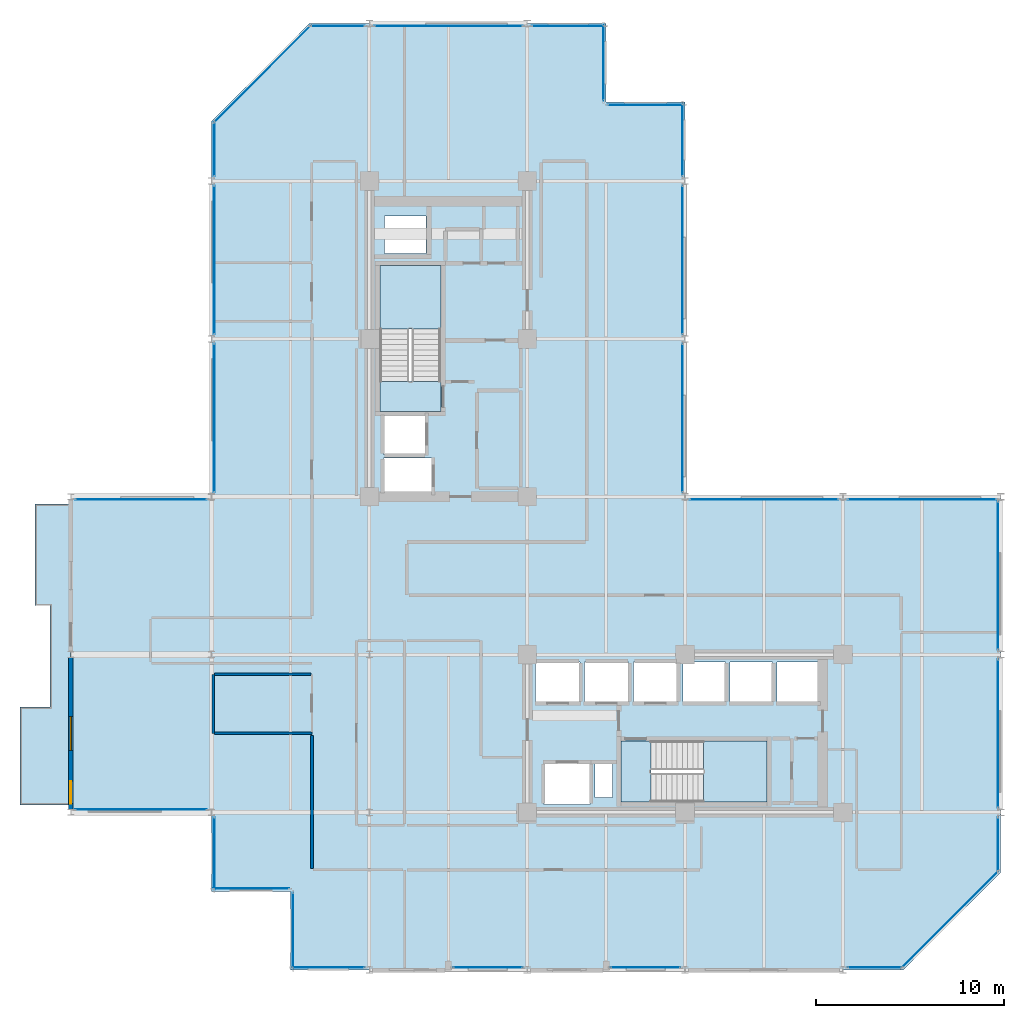
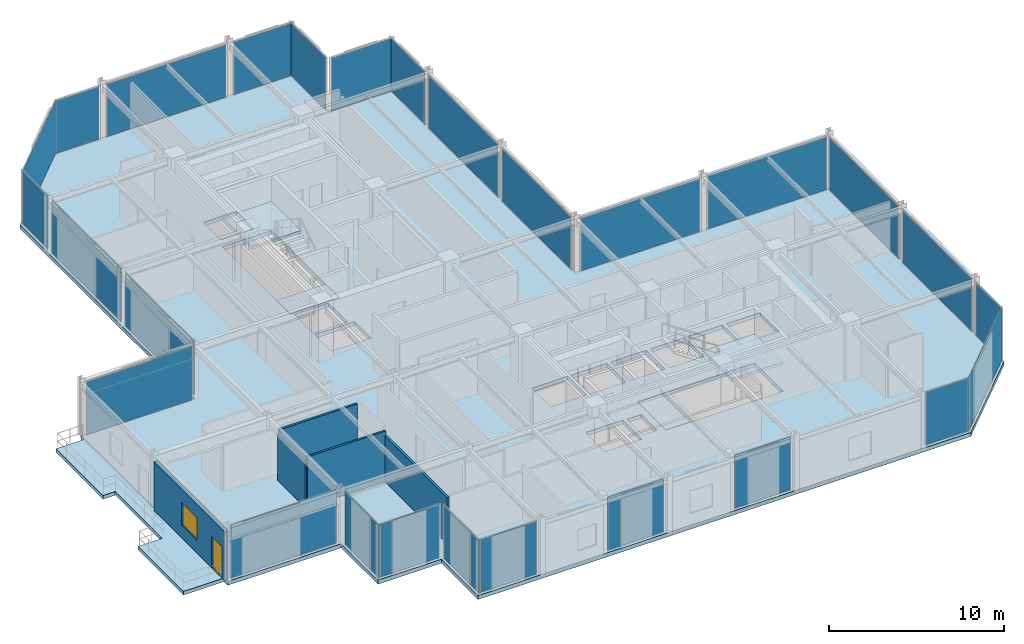
# One storey, part 23 of 29: 27 plates, 6 slabs, 5 walls, 1 door, 1 window, 2 openings, 29 elements without a shape of their own.
"""IFC4 building model written with IfcOpenShell, lengths in metres."""

import ifcopenshell
import ifcopenshell.guid

model = None  # the IFC model being written
_history = None  # IfcOwnerHistory: only IFC2X3 demands one
_inside = {}  # id of a spatial element -> (the spatial element, [elements in it])
_under = {}  # id of a project, library or spatial element -> (it, [spatial elements below it])
_declared = {}  # id of a project -> (the project, [libraries it declares])
_typed = {}  # id of a type object -> (the type object, [elements of that type])
_made_of = {}  # id of a material, layer set ... -> (it, [elements and type objects made of it])


def new_model(schema):
    """Start an empty IFC model of exactly this schema.

    Asked for "IFC4X3", IfcOpenShell would pick the latest addendum, in which some entities
    have other attributes; the version numbers below select the first issue.
    IFC2X3 requires an IfcOwnerHistory on every rooted entity: one is made here for all.
    """
    global model, _history
    if schema == "IFC4X3":
        model = ifcopenshell.file(schema_version=(4, 3, 0, 0))
    else:
        model = ifcopenshell.file(schema=schema)
    _inside.clear()
    _under.clear()
    _declared.clear()
    _typed.clear()
    _made_of.clear()
    _history = None
    if model.schema == "IFC2X3":
        org = make("IfcOrganization", Name="unknown")
        user = make(
            "IfcPersonAndOrganization",
            ThePerson=make("IfcPerson", FamilyName="unknown"),
            TheOrganization=org,
        )
        app = make(
            "IfcApplication",
            ApplicationDeveloper=org,
            Version="unknown",
            ApplicationFullName="unknown",
            ApplicationIdentifier="unknown",
        )
        _history = make(
            "IfcOwnerHistory",
            OwningUser=user,
            OwningApplication=app,
            ChangeAction="ADDED",
            CreationDate=0,
        )
    return model


def make(cls, **values):
    """One entity of the class cls with the attributes given. An attribute that is None is left unset."""
    return model.create_entity(
        cls, **{name: value for name, value in values.items() if value is not None}
    )


def rooted(cls, **values):
    """An entity with a GlobalId (a new one), such as an element, a storey or a relation."""
    return make(cls, GlobalId=ifcopenshell.guid.new(), OwnerHistory=_history, **values)


def si_unit(unit_type, name, prefix=None):
    """IfcSIUnit, for example si_unit("LENGTHUNIT", "METRE", prefix="MILLI")."""
    return make("IfcSIUnit", UnitType=unit_type, Prefix=prefix, Name=name)


def assignment(units):
    """IfcUnitAssignment: the units of a project."""
    return None if units is None else make("IfcUnitAssignment", Units=units)


def point(xyz):
    """IfcCartesianPoint."""
    return None if xyz is None else make("IfcCartesianPoint", Coordinates=xyz)


def direction(xyz):
    """IfcDirection."""
    return None if xyz is None else make("IfcDirection", DirectionRatios=xyz)


def frame(location, z_axis=None, x_axis=None):
    """IfcAxis2Placement3D, a coordinate frame: its origin and axes. An axis left out is left unset."""
    return make(
        "IfcAxis2Placement3D",
        Location=point(location),
        Axis=direction(z_axis),
        RefDirection=direction(x_axis),
    )


def frame_2d(location, x_axis=None):
    """IfcAxis2Placement2D, a coordinate frame in the plane: its origin and x axis."""
    return make(
        "IfcAxis2Placement2D", Location=point(location), RefDirection=direction(x_axis)
    )


def origin():
    """The frame at (0, 0, 0) with its axes left unset."""
    return frame((0.0, 0.0, 0.0))


def origin_2d():
    """The frame at (0, 0) in the plane with its x axis left unset."""
    return frame_2d((0.0, 0.0))


def place(relative_to, where):
    """IfcLocalPlacement: puts the frame where relative to a parent placement (None: the world)."""
    return make(
        "IfcLocalPlacement", PlacementRelTo=relative_to, RelativePlacement=where
    )


def context(
    kind, dimensions, precision=None, world=None, true_north=None, identifier=None
):
    """IfcGeometricRepresentationContext, for example the 3D "Model" context."""
    return make(
        "IfcGeometricRepresentationContext",
        ContextIdentifier=identifier,
        ContextType=kind,
        CoordinateSpaceDimension=dimensions,
        Precision=precision,
        WorldCoordinateSystem=world,
        TrueNorth=true_north,
    )


def subcontext(parent, identifier, kind, view, scale=None):
    """IfcGeometricRepresentationSubContext, for example "Body" below "Model"."""
    return make(
        "IfcGeometricRepresentationSubContext",
        ContextIdentifier=identifier,
        ContextType=kind,
        ParentContext=parent,
        TargetScale=scale,
        TargetView=view,
    )


def project(units=None, contexts=None):
    """IfcProject with its units and contexts."""
    return rooted(
        "IfcProject",
        Name="project",
        RepresentationContexts=contexts,
        UnitsInContext=assignment(units),
    )


def spatial(cls, under=None, at=None, **own):
    """A site, building, storey or space (cls), placed at a placement, below another one or the project."""
    s = rooted(cls, ObjectPlacement=at, **own)
    if under is not None:
        _under.setdefault(under.id(), (under, []))[1].append(s)
    return s


def polyline(points):
    """IfcPolyline through the points."""
    return make("IfcPolyline", Points=[point(p) for p in points])


def profile(cls, at=None, kind="AREA", **sizes):
    """A parametric profile (cls). Its sizes go by their IFC names, for example OverallWidth=200.0."""
    return make(cls, ProfileType=kind, Position=at, **sizes)


def rectangle(**sizes):
    """IfcRectangleProfileDef."""
    return profile("IfcRectangleProfileDef", **sizes)


def outline(outer, holes=None, kind="AREA"):
    """IfcArbitraryClosedProfileDef: a profile drawn as a closed curve; with holes, ...WithVoids."""
    if holes is None:
        return make("IfcArbitraryClosedProfileDef", ProfileType=kind, OuterCurve=outer)
    return make(
        "IfcArbitraryProfileDefWithVoids",
        ProfileType=kind,
        OuterCurve=outer,
        InnerCurves=holes,
    )


def extrude(swept, where, along, depth):
    """IfcExtrudedAreaSolid: the profile swept, set in the frame where, extruded along a direction by depth."""
    return make(
        "IfcExtrudedAreaSolid",
        SweptArea=swept,
        Position=where,
        ExtrudedDirection=direction(along),
        Depth=depth,
    )


def shape(context_of_items, identifier, shape_type, items):
    """IfcShapeRepresentation: the items that make up one representation, for example the "Body"."""
    return make(
        "IfcShapeRepresentation",
        ContextOfItems=context_of_items,
        RepresentationIdentifier=identifier,
        RepresentationType=shape_type,
        Items=items,
    )


def material(Name=None, Category=None):
    """IfcMaterial."""
    return make("IfcMaterial", Name=Name, Category=Category)


def layer(
    of_material, thickness, ventilated=None, Name=None, Category=None, Priority=None
):
    """IfcMaterialLayer: one layer of a wall or slab, of a material (None: an air gap)."""
    return make(
        "IfcMaterialLayer",
        Material=of_material,
        LayerThickness=thickness,
        IsVentilated=ventilated,
        Name=Name,
        Category=Category,
        Priority=Priority,
    )


def layer_set(layers, Name=None):
    """IfcMaterialLayerSet."""
    return make("IfcMaterialLayerSet", MaterialLayers=layers, LayerSetName=Name)


def made_of(thing, what):
    """Note that an element or type object is made of a material, layer set ...; save() writes the relation."""
    if what is not None:
        _made_of.setdefault(what.id(), (what, []))[1].append(thing)
    return thing


def type_object(cls, material=None, **own):
    """A type object (cls), such as IfcWallType, which elements share."""
    return made_of(rooted(cls, **own), material)


def element(
    cls,
    number,
    at=None,
    inside=None,
    cuts=None,
    type_object=None,
    material=None,
    context=None,
    identifier="Body",
    shape_type=None,
    held_by="IfcProductDefinitionShape",
    body=None,
    shapes=None,
    **own,
):
    """One element of the class cls, such as IfcWall. Its Tag is "e" and its number.

    at: its placement. inside: the storey or other place that contains it. cuts: it is an
    opening in that element (IfcRelVoidsElement). A single representation is given by context,
    identifier, shape_type and body (its items); several are given by shapes. held_by: the class
    of the entity that holds the representations. save() writes the other relations.
    """
    e = rooted(cls, Tag="e%d" % number, ObjectPlacement=at, **own)
    if body is not None:
        shapes = [shape(context, identifier, shape_type, body)]
    if shapes is not None:
        e.Representation = make(held_by, Representations=shapes)
    if inside is not None:
        _inside.setdefault(inside.id(), (inside, []))[1].append(e)
    if cuts is not None:
        rooted(
            "IfcRelVoidsElement", RelatingBuildingElement=cuts, RelatedOpeningElement=e
        )
    if type_object is not None:
        _typed.setdefault(type_object.id(), (type_object, []))[1].append(e)
    return made_of(e, material)


def fill(opening, filler):
    """IfcRelFillsElement: the door or window that sits in an opening."""
    return rooted(
        "IfcRelFillsElement",
        RelatingOpeningElement=opening,
        RelatedBuildingElement=filler,
    )


def aggregate(whole, parts):
    """IfcRelAggregates: a whole, such as a stair, and the parts it consists of."""
    return rooted("IfcRelAggregates", RelatingObject=whole, RelatedObjects=parts)


def save(model, path):
    """Write the relations noted so far, then the file.

    IfcRelAggregates (storeys below a building ...), IfcRelContainedInSpatialStructure (elements
    in a storey), IfcRelDefinesByType, IfcRelAssociatesMaterial and IfcRelDeclares: one each for
    every whole, place, type object, material and project.
    """
    for whole, parts in _under.values():
        aggregate(whole, parts)
    for where, things in _inside.values():
        rooted(
            "IfcRelContainedInSpatialStructure",
            RelatedElements=things,
            RelatingStructure=where,
        )
    for kind, things in _typed.values():
        rooted("IfcRelDefinesByType", RelatedObjects=things, RelatingType=kind)
    for what, things in _made_of.values():
        rooted("IfcRelAssociatesMaterial", RelatedObjects=things, RelatingMaterial=what)
    for by, libraries in _declared.values():
        rooted("IfcRelDeclares", RelatingContext=by, RelatedDefinitions=libraries)
    model.write(path)


model = new_model("IFC4")

# Units and contexts
model_context = context("Model", 3, precision=1e-05, world=origin(), true_north=direction((0.0, 1.0)))
body_context = subcontext(model_context, "Body", "Model", "MODEL_VIEW")
ifc_project = project(units=[si_unit("LENGTHUNIT", "METRE"), si_unit("AREAUNIT", "SQUARE_METRE"), si_unit("VOLUMEUNIT", "CUBIC_METRE"), si_unit("PLANEANGLEUNIT", "RADIAN"), si_unit("MASSUNIT", "GRAM", prefix="KILO")], contexts=[model_context])

# Site, building, storey
site_placement = place(None, origin())
site = spatial("IfcSite", under=ifc_project, at=site_placement, CompositionType="ELEMENT")
building_placement = place(site_placement, origin())
building = spatial("IfcBuilding", under=site, at=building_placement, Name="Nerrivon Quay Data Exchange", CompositionType="ELEMENT")
storey_placement = place(building_placement, frame((0.0, 0.0, 175.5)))
storey = spatial("IfcBuildingStorey", under=building, at=storey_placement, Name="L41", CompositionType="ELEMENT", Elevation=175.5)

# Curtain wall, plate
ifc_material_1 = material(Name="Anodised aluminium 6063-T6", Category="aluminium")
ifc_layer_1 = layer(ifc_material_1, 0.199951171875)
ifc_layer_set_1 = layer_set([ifc_layer_1], Name="Anodised aluminium 6063-T6")
curtain_wall_type_1 = type_object("IfcCurtainWallType", Name="CW-SYS-04", PredefinedType="NOTDEFINED", material=ifc_layer_set_1)
curtain_wall_1_placement = place(storey_placement, origin())
curtain_wall_1 = element("IfcCurtainWall", 1, at=curtain_wall_1_placement, inside=storey, type_object=curtain_wall_type_1, Name="L41 Unitised Curtain Wall 3", PredefinedType="NOTDEFINED")
ifc_material_2 = material(Name="Double-glazed low-E solar control glass", Category="glass")
ifc_layer_2 = layer(ifc_material_2, 0.028076171875)
ifc_layer_set_2 = layer_set([ifc_layer_2], Name="Double-glazed low-E solar control glass")
plate_type = type_object("IfcPlateType", Name="CWP-GLZ-28", PredefinedType="CURTAIN_PANEL", material=ifc_layer_set_2)
plate_1_placement = place(storey_placement, frame((-3.759765625, 25.06005859375, 0.06494140625), z_axis=(0.0, 0.0, 1.0), x_axis=(1.0, 0.0, 0.0)))
plate_1 = element("IfcPlate", 2, at=plate_1_placement, type_object=plate_type, Name="CW04 panel 1.1", PredefinedType="CURTAIN_PANEL", context=body_context, shape_type="SweptSolid", body=[
    extrude(rectangle(XDim=7.01953125, YDim=0.028076171875, at=origin_2d()), origin(), (0.0, 0.0, 1.0), 3.695068359375),
])
aggregate(curtain_wall_1, [plate_1])

ifc_layer_3 = layer(ifc_material_1, 0.195068359375)
ifc_layer_set_3 = layer_set([ifc_layer_3], Name="Anodised aluminium 6063-T6")
curtain_wall_type_2 = type_object("IfcCurtainWallType", Name="CW-SYS-06", PredefinedType="NOTDEFINED", material=ifc_layer_set_3)
curtain_wall_2_placement = place(storey_placement, origin())
curtain_wall_2 = element("IfcCurtainWall", 3, at=curtain_wall_2_placement, inside=storey, type_object=curtain_wall_type_2, Name="L41 Unitised Curtain Wall 4", PredefinedType="NOTDEFINED")
plate_2_placement = place(storey_placement, frame((0.139892578125, 29.39990234375, 0.06494140625), z_axis=(0.0, 0.0, 1.0), x_axis=(0.0, 1.0, 0.0)))
plate_2 = element("IfcPlate", 4, at=plate_2_placement, type_object=plate_type, Name="CW06 panel 1.1", PredefinedType="CURTAIN_PANEL", context=body_context, shape_type="SweptSolid", body=[
    extrude(rectangle(XDim=7.89990234375, YDim=0.028076171875, at=origin_2d()), origin(), (0.0, 0.0, 1.0), 3.695068359375),
])
aggregate(curtain_wall_2, [plate_2])

curtain_wall_3_placement = place(storey_placement, origin())
curtain_wall_3 = element("IfcCurtainWall", 5, at=curtain_wall_3_placement, inside=storey, type_object=curtain_wall_type_2, Name="L41 Unitised Curtain Wall 5", PredefinedType="NOTDEFINED")
plate_3_placement = place(storey_placement, frame((0.139892578125, 37.800048828125, 0.06494140625), z_axis=(0.0, 0.0, 1.0), x_axis=(0.0, 1.0, 0.0)))
plate_3 = element("IfcPlate", 6, at=plate_3_placement, type_object=plate_type, Name="CW06 panel 1.1", PredefinedType="CURTAIN_PANEL", context=body_context, shape_type="SweptSolid", body=[
    extrude(rectangle(XDim=7.89990234375, YDim=0.028076171875, at=origin_2d()), origin(), (0.0, 0.0, 1.0), 3.695068359375),
])
aggregate(curtain_wall_3, [plate_3])

curtain_wall_4_placement = place(storey_placement, origin())
curtain_wall_4 = element("IfcCurtainWall", 7, at=curtain_wall_4_placement, inside=storey, type_object=curtain_wall_type_2, Name="L41 Unitised Curtain Wall 6", PredefinedType="NOTDEFINED")
plate_4_placement = place(storey_placement, frame((0.139892578125, 43.6875, 0.06494140625), z_axis=(0.0, 0.0, 1.0), x_axis=(0.0, 1.0, 0.0)))
plate_4 = element("IfcPlate", 8, at=plate_4_placement, type_object=plate_type, Name="CW06 panel 1.1", PredefinedType="CURTAIN_PANEL", context=body_context, shape_type="SweptSolid", body=[
    extrude(rectangle(XDim=2.875, YDim=0.028076171875, at=origin_2d()), origin(), (0.0, 0.0, 1.0), 3.695068359375),
])
aggregate(curtain_wall_4, [plate_4])

curtain_wall_5_placement = place(storey_placement, origin())
curtain_wall_5 = element("IfcCurtainWall", 9, at=curtain_wall_5_placement, inside=storey, type_object=curtain_wall_type_2, Name="L41 Unitised Curtain Wall 7", PredefinedType="NOTDEFINED")
plate_5_placement = place(storey_placement, frame((2.698974609375, 47.700927734375, 0.06494140625), z_axis=(0.0, 0.0, 1.0), x_axis=(0.707106781187, 0.707106781187, 0.0)))
plate_5 = element("IfcPlate", 10, at=plate_5_placement, type_object=plate_type, Name="CW06 panel 1.1", PredefinedType="CURTAIN_PANEL", context=body_context, shape_type="SweptSolid", body=[
    extrude(rectangle(XDim=7.203857421875, YDim=0.028076171875, at=origin_2d()), origin(), (0.0, 0.0, 1.0), 3.695068359375),
])
aggregate(curtain_wall_5, [plate_5])

curtain_wall_6_placement = place(storey_placement, origin())
curtain_wall_6 = element("IfcCurtainWall", 11, at=curtain_wall_6_placement, inside=storey, type_object=curtain_wall_type_2, Name="L41 Unitised Curtain Wall 8", PredefinedType="NOTDEFINED")
plate_6_placement = place(storey_placement, frame((6.71240234375, 50.260009765625, 0.06494140625), z_axis=(0.0, 0.0, 1.0), x_axis=(1.0, 0.0, 0.0)))
plate_6 = element("IfcPlate", 12, at=plate_6_placement, type_object=plate_type, Name="CW06 panel 1.1", PredefinedType="CURTAIN_PANEL", context=body_context, shape_type="SweptSolid", body=[
    extrude(rectangle(XDim=2.875, YDim=0.028076171875, at=origin_2d()), origin(), (0.0, 0.0, 1.0), 3.695068359375),
])
aggregate(curtain_wall_6, [plate_6])

curtain_wall_7_placement = place(storey_placement, origin())
curtain_wall_7 = element("IfcCurtainWall", 13, at=curtain_wall_7_placement, inside=storey, type_object=curtain_wall_type_2, Name="L41 Unitised Curtain Wall 9", PredefinedType="NOTDEFINED")
plate_7_placement = place(storey_placement, frame((12.60009765625, 50.260009765625, 0.06494140625), z_axis=(0.0, 0.0, 1.0), x_axis=(1.0, 0.0, 0.0)))
plate_7 = element("IfcPlate", 14, at=plate_7_placement, type_object=plate_type, Name="CW06 panel 1.1", PredefinedType="CURTAIN_PANEL", context=body_context, shape_type="SweptSolid", body=[
    extrude(rectangle(XDim=7.89990234375, YDim=0.028076171875, at=origin_2d()), origin(), (0.0, 0.0, 1.0), 3.695068359375),
])
aggregate(curtain_wall_7, [plate_7])

curtain_wall_8_placement = place(storey_placement, origin())
curtain_wall_8 = element("IfcCurtainWall", 15, at=curtain_wall_8_placement, inside=storey, type_object=curtain_wall_type_2, Name="L41 Unitised Curtain Wall 10", PredefinedType="NOTDEFINED")
plate_8_placement = place(storey_placement, frame((18.987548828125, 50.260009765625, 0.06494140625), z_axis=(0.0, 0.0, 1.0), x_axis=(1.0, 0.0, 0.0)))
plate_8 = element("IfcPlate", 16, at=plate_8_placement, type_object=plate_type, Name="CW06 panel 1.1", PredefinedType="CURTAIN_PANEL", context=body_context, shape_type="SweptSolid", body=[
    extrude(rectangle(XDim=3.875, YDim=0.028076171875, at=origin_2d()), origin(), (0.0, 0.0, 1.0), 3.695068359375),
])
aggregate(curtain_wall_8, [plate_8])

curtain_wall_9_placement = place(storey_placement, origin())
curtain_wall_9 = element("IfcCurtainWall", 17, at=curtain_wall_9_placement, inside=storey, type_object=curtain_wall_type_2, Name="L41 Unitised Curtain Wall 11", PredefinedType="NOTDEFINED")
plate_9_placement = place(storey_placement, frame((20.860107421875, 48.300048828125, 0.06494140625), z_axis=(0.0, 0.0, 1.0), x_axis=(0.0, -1.0, 0.0)))
plate_9 = element("IfcPlate", 18, at=plate_9_placement, type_object=plate_type, Name="CW06 panel 1.1", PredefinedType="CURTAIN_PANEL", context=body_context, shape_type="SweptSolid", body=[
    extrude(rectangle(XDim=4.050048828125, YDim=0.028076171875, at=origin_2d()), origin(), (0.0, 0.0, 1.0), 3.695068359375),
])
aggregate(curtain_wall_9, [plate_9])

curtain_wall_10_placement = place(storey_placement, origin())
curtain_wall_10 = element("IfcCurtainWall", 19, at=curtain_wall_10_placement, inside=storey, type_object=curtain_wall_type_2, Name="L41 Unitised Curtain Wall 12", PredefinedType="NOTDEFINED")
plate_10_placement = place(storey_placement, frame((23.10009765625, 46.06005859375, 0.06494140625), z_axis=(0.0, 0.0, 1.0), x_axis=(1.0, 0.0, 0.0)))
plate_10 = element("IfcPlate", 20, at=plate_10_placement, type_object=plate_type, Name="CW06 panel 1.1", PredefinedType="CURTAIN_PANEL", context=body_context, shape_type="SweptSolid", body=[
    extrude(rectangle(XDim=4.050048828125, YDim=0.028076171875, at=origin_2d()), origin(), (0.0, 0.0, 1.0), 3.695068359375),
])
aggregate(curtain_wall_10, [plate_10])

curtain_wall_11_placement = place(storey_placement, origin())
curtain_wall_11 = element("IfcCurtainWall", 21, at=curtain_wall_11_placement, inside=storey, type_object=curtain_wall_type_2, Name="L41 Unitised Curtain Wall 13", PredefinedType="NOTDEFINED")
plate_11_placement = place(storey_placement, frame((25.06005859375, 44.1875, 0.06494140625), z_axis=(0.0, 0.0, 1.0), x_axis=(0.0, -1.0, 0.0)))
plate_11 = element("IfcPlate", 22, at=plate_11_placement, type_object=plate_type, Name="CW06 panel 1.1", PredefinedType="CURTAIN_PANEL", context=body_context, shape_type="SweptSolid", body=[
    extrude(rectangle(XDim=3.875, YDim=0.028076171875, at=origin_2d()), origin(), (0.0, 0.0, 1.0), 3.695068359375),
])
aggregate(curtain_wall_11, [plate_11])

curtain_wall_12_placement = place(storey_placement, origin())
curtain_wall_12 = element("IfcCurtainWall", 23, at=curtain_wall_12_placement, inside=storey, type_object=curtain_wall_type_2, Name="L41 Unitised Curtain Wall 14", PredefinedType="NOTDEFINED")
plate_12_placement = place(storey_placement, frame((25.06005859375, 37.800048828125, 0.06494140625), z_axis=(0.0, 0.0, 1.0), x_axis=(0.0, -1.0, 0.0)))
plate_12 = element("IfcPlate", 24, at=plate_12_placement, type_object=plate_type, Name="CW06 panel 1.1", PredefinedType="CURTAIN_PANEL", context=body_context, shape_type="SweptSolid", body=[
    extrude(rectangle(XDim=7.89990234375, YDim=0.028076171875, at=origin_2d()), origin(), (0.0, 0.0, 1.0), 3.695068359375),
])
aggregate(curtain_wall_12, [plate_12])

curtain_wall_13_placement = place(storey_placement, origin())
curtain_wall_13 = element("IfcCurtainWall", 25, at=curtain_wall_13_placement, inside=storey, type_object=curtain_wall_type_2, Name="L41 Unitised Curtain Wall 15", PredefinedType="NOTDEFINED")
plate_13_placement = place(storey_placement, frame((25.06005859375, 29.39990234375, 0.06494140625), z_axis=(0.0, 0.0, 1.0), x_axis=(0.0, -1.0, 0.0)))
plate_13 = element("IfcPlate", 26, at=plate_13_placement, type_object=plate_type, Name="CW06 panel 1.1", PredefinedType="CURTAIN_PANEL", context=body_context, shape_type="SweptSolid", body=[
    extrude(rectangle(XDim=7.89990234375, YDim=0.028076171875, at=origin_2d()), origin(), (0.0, 0.0, 1.0), 3.695068359375),
])
aggregate(curtain_wall_13, [plate_13])

curtain_wall_14_placement = place(storey_placement, origin())
curtain_wall_14 = element("IfcCurtainWall", 27, at=curtain_wall_14_placement, inside=storey, type_object=curtain_wall_type_2, Name="L41 Unitised Curtain Wall 16", PredefinedType="NOTDEFINED")
plate_14_placement = place(storey_placement, frame((29.39990234375, 25.06005859375, 0.06494140625), z_axis=(0.0, 0.0, 1.0), x_axis=(1.0, 0.0, 0.0)))
plate_14 = element("IfcPlate", 28, at=plate_14_placement, type_object=plate_type, Name="CW06 panel 1.1", PredefinedType="CURTAIN_PANEL", context=body_context, shape_type="SweptSolid", body=[
    extrude(rectangle(XDim=7.89990234375, YDim=0.028076171875, at=origin_2d()), origin(), (0.0, 0.0, 1.0), 3.695068359375),
])
aggregate(curtain_wall_14, [plate_14])

curtain_wall_15_placement = place(storey_placement, origin())
curtain_wall_15 = element("IfcCurtainWall", 29, at=curtain_wall_15_placement, inside=storey, type_object=curtain_wall_type_2, Name="L41 Unitised Curtain Wall 17", PredefinedType="NOTDEFINED")
plate_15_placement = place(storey_placement, frame((37.800048828125, 25.06005859375, 0.06494140625), z_axis=(0.0, 0.0, 1.0), x_axis=(1.0, 0.0, 0.0)))
plate_15 = element("IfcPlate", 30, at=plate_15_placement, type_object=plate_type, Name="CW06 panel 1.1", PredefinedType="CURTAIN_PANEL", context=body_context, shape_type="SweptSolid", body=[
    extrude(rectangle(XDim=7.89990234375, YDim=0.028076171875, at=origin_2d()), origin(), (0.0, 0.0, 1.0), 3.695068359375),
])
aggregate(curtain_wall_15, [plate_15])

curtain_wall_16_placement = place(storey_placement, origin())
curtain_wall_16 = element("IfcCurtainWall", 31, at=curtain_wall_16_placement, inside=storey, type_object=curtain_wall_type_2, Name="L41 Unitised Curtain Wall 18", PredefinedType="NOTDEFINED")
plate_16_placement = place(storey_placement, frame((41.860107421875, 21.0, 0.06494140625), z_axis=(0.0, 0.0, 1.0), x_axis=(0.0, -1.0, 0.0)))
plate_16 = element("IfcPlate", 32, at=plate_16_placement, type_object=plate_type, Name="CW06 panel 1.1", PredefinedType="CURTAIN_PANEL", context=body_context, shape_type="SweptSolid", body=[
    extrude(rectangle(XDim=7.89990234375, YDim=0.028076171875, at=origin_2d()), origin(), (0.0, 0.0, 1.0), 3.695068359375),
])
aggregate(curtain_wall_16, [plate_16])

curtain_wall_17_placement = place(storey_placement, origin())
curtain_wall_17 = element("IfcCurtainWall", 33, at=curtain_wall_17_placement, inside=storey, type_object=curtain_wall_type_2, Name="L41 Unitised Curtain Wall 19", PredefinedType="NOTDEFINED")
plate_17_placement = place(storey_placement, frame((41.860107421875, 12.60009765625, 0.06494140625), z_axis=(0.0, 0.0, 1.0), x_axis=(0.0, -1.0, 0.0)))
plate_17 = element("IfcPlate", 34, at=plate_17_placement, type_object=plate_type, Name="CW06 panel 1.1", PredefinedType="CURTAIN_PANEL", context=body_context, shape_type="SweptSolid", body=[
    extrude(rectangle(XDim=7.89990234375, YDim=0.028076171875, at=origin_2d()), origin(), (0.0, 0.0, 1.0), 3.695068359375),
])
aggregate(curtain_wall_17, [plate_17])

curtain_wall_18_placement = place(storey_placement, origin())
curtain_wall_18 = element("IfcCurtainWall", 35, at=curtain_wall_18_placement, inside=storey, type_object=curtain_wall_type_2, Name="L41 Unitised Curtain Wall 20", PredefinedType="NOTDEFINED")
plate_18_placement = place(storey_placement, frame((41.860107421875, 6.71240234375, 0.06494140625), z_axis=(0.0, 0.0, 1.0), x_axis=(0.0, -1.0, 0.0)))
plate_18 = element("IfcPlate", 36, at=plate_18_placement, type_object=plate_type, Name="CW06 panel 1.1", PredefinedType="CURTAIN_PANEL", context=body_context, shape_type="SweptSolid", body=[
    extrude(rectangle(XDim=2.875, YDim=0.028076171875, at=origin_2d()), origin(), (0.0, 0.0, 1.0), 3.695068359375),
])
aggregate(curtain_wall_18, [plate_18])

curtain_wall_19_placement = place(storey_placement, origin())
curtain_wall_19 = element("IfcCurtainWall", 37, at=curtain_wall_19_placement, inside=storey, type_object=curtain_wall_type_2, Name="L41 Unitised Curtain Wall 21", PredefinedType="NOTDEFINED")
plate_19_placement = place(storey_placement, frame((39.301025390625, 2.698974609375, 0.06494140625), z_axis=(0.0, 0.0, 1.0), x_axis=(-0.707106781187, -0.707106781187, 0.0)))
plate_19 = element("IfcPlate", 38, at=plate_19_placement, type_object=plate_type, Name="CW06 panel 1.1", PredefinedType="CURTAIN_PANEL", context=body_context, shape_type="SweptSolid", body=[
    extrude(rectangle(XDim=7.203857421875, YDim=0.028076171875, at=origin_2d()), origin(), (0.0, 0.0, 1.0), 3.695068359375),
])
aggregate(curtain_wall_19, [plate_19])

curtain_wall_20_placement = place(storey_placement, origin())
curtain_wall_20 = element("IfcCurtainWall", 39, at=curtain_wall_20_placement, inside=storey, type_object=curtain_wall_type_2, Name="L41 Unitised Curtain Wall 22", PredefinedType="NOTDEFINED")
plate_20_placement = place(storey_placement, frame((35.28759765625, 0.139892578125, 0.06494140625), z_axis=(0.0, 0.0, 1.0), x_axis=(-1.0, 0.0, 0.0)))
plate_20 = element("IfcPlate", 40, at=plate_20_placement, type_object=plate_type, Name="CW06 panel 1.1", PredefinedType="CURTAIN_PANEL", context=body_context, shape_type="SweptSolid", body=[
    extrude(rectangle(XDim=2.875, YDim=0.028076171875, at=origin_2d()), origin(), (0.0, 0.0, 1.0), 3.695068359375),
])
aggregate(curtain_wall_20, [plate_20])

curtain_wall_21_placement = place(storey_placement, origin())
curtain_wall_21 = element("IfcCurtainWall", 41, at=curtain_wall_21_placement, inside=storey, type_object=curtain_wall_type_2, Name="L41 Unitised Curtain Wall 24", PredefinedType="NOTDEFINED")
plate_21_placement = place(storey_placement, frame((23.10009765625, 0.139892578125, 0.06494140625), z_axis=(0.0, 0.0, 1.0), x_axis=(-1.0, 0.0, 0.0)))
plate_21 = element("IfcPlate", 42, at=plate_21_placement, type_object=plate_type, Name="CW06 panel 1.1", PredefinedType="CURTAIN_PANEL", context=body_context, shape_type="SweptSolid", body=[
    extrude(rectangle(XDim=3.699951171875, YDim=0.028076171875, at=origin_2d()), origin(), (0.0, 0.0, 1.0), 3.695068359375),
])
aggregate(curtain_wall_21, [plate_21])

curtain_wall_22_placement = place(storey_placement, origin())
curtain_wall_22 = element("IfcCurtainWall", 43, at=curtain_wall_22_placement, inside=storey, type_object=curtain_wall_type_2, Name="L41 Unitised Curtain Wall 26", PredefinedType="NOTDEFINED")
plate_22_placement = place(storey_placement, frame((14.699951171875, 0.139892578125, 0.06494140625), z_axis=(0.0, 0.0, 1.0), x_axis=(-1.0, 0.0, 0.0)))
plate_22 = element("IfcPlate", 44, at=plate_22_placement, type_object=plate_type, Name="CW06 panel 1.1", PredefinedType="CURTAIN_PANEL", context=body_context, shape_type="SweptSolid", body=[
    extrude(rectangle(XDim=3.699951171875, YDim=0.028076171875, at=origin_2d()), origin(), (0.0, 0.0, 1.0), 3.695068359375),
])
aggregate(curtain_wall_22, [plate_22])

curtain_wall_23_placement = place(storey_placement, origin())
curtain_wall_23 = element("IfcCurtainWall", 45, at=curtain_wall_23_placement, inside=storey, type_object=curtain_wall_type_2, Name="L41 Unitised Curtain Wall 28", PredefinedType="NOTDEFINED")
plate_23_placement = place(storey_placement, frame((6.21240234375, 0.139892578125, 0.06494140625), z_axis=(0.0, 0.0, 1.0), x_axis=(-1.0, 0.0, 0.0)))
plate_23 = element("IfcPlate", 46, at=plate_23_placement, type_object=plate_type, Name="CW06 panel 1.1", PredefinedType="CURTAIN_PANEL", context=body_context, shape_type="SweptSolid", body=[
    extrude(rectangle(XDim=3.875, YDim=0.028076171875, at=origin_2d()), origin(), (0.0, 0.0, 1.0), 3.695068359375),
])
aggregate(curtain_wall_23, [plate_23])

curtain_wall_24_placement = place(storey_placement, origin())
curtain_wall_24 = element("IfcCurtainWall", 47, at=curtain_wall_24_placement, inside=storey, type_object=curtain_wall_type_2, Name="L41 Unitised Curtain Wall 29", PredefinedType="NOTDEFINED")
plate_24_placement = place(storey_placement, frame((4.340087890625, 2.10009765625, 0.06494140625), z_axis=(0.0, 0.0, 1.0), x_axis=(0.0, 1.0, 0.0)))
plate_24 = element("IfcPlate", 48, at=plate_24_placement, type_object=plate_type, Name="CW06 panel 1.1", PredefinedType="CURTAIN_PANEL", context=body_context, shape_type="SweptSolid", body=[
    extrude(rectangle(XDim=4.050048828125, YDim=0.028076171875, at=origin_2d()), origin(), (0.0, 0.0, 1.0), 3.695068359375),
])
aggregate(curtain_wall_24, [plate_24])

curtain_wall_25_placement = place(storey_placement, origin())
curtain_wall_25 = element("IfcCurtainWall", 49, at=curtain_wall_25_placement, inside=storey, type_object=curtain_wall_type_2, Name="L41 Unitised Curtain Wall 30", PredefinedType="NOTDEFINED")
plate_25_placement = place(storey_placement, frame((2.10009765625, 4.340087890625, 0.06494140625), z_axis=(0.0, 0.0, 1.0), x_axis=(-1.0, 0.0, 0.0)))
plate_25 = element("IfcPlate", 50, at=plate_25_placement, type_object=plate_type, Name="CW06 panel 1.1", PredefinedType="CURTAIN_PANEL", context=body_context, shape_type="SweptSolid", body=[
    extrude(rectangle(XDim=4.050048828125, YDim=0.028076171875, at=origin_2d()), origin(), (0.0, 0.0, 1.0), 3.695068359375),
])
aggregate(curtain_wall_25, [plate_25])

curtain_wall_26_placement = place(storey_placement, origin())
curtain_wall_26 = element("IfcCurtainWall", 51, at=curtain_wall_26_placement, inside=storey, type_object=curtain_wall_type_2, Name="L41 Unitised Curtain Wall 31", PredefinedType="NOTDEFINED")
plate_26_placement = place(storey_placement, frame((0.139892578125, 6.21240234375, 0.06494140625), z_axis=(0.0, 0.0, 1.0), x_axis=(0.0, 1.0, 0.0)))
plate_26 = element("IfcPlate", 52, at=plate_26_placement, type_object=plate_type, Name="CW06 panel 1.1", PredefinedType="CURTAIN_PANEL", context=body_context, shape_type="SweptSolid", body=[
    extrude(rectangle(XDim=3.875, YDim=0.028076171875, at=origin_2d()), origin(), (0.0, 0.0, 1.0), 3.695068359375),
])
aggregate(curtain_wall_26, [plate_26])

curtain_wall_27_placement = place(storey_placement, origin())
curtain_wall_27 = element("IfcCurtainWall", 53, at=curtain_wall_27_placement, inside=storey, type_object=curtain_wall_type_1, Name="L41 Unitised Curtain Wall 32", PredefinedType="NOTDEFINED")
plate_27_placement = place(storey_placement, frame((-3.759765625, 8.5400390625, 0.06494140625), z_axis=(0.0, 0.0, 1.0), x_axis=(-1.0, 0.0, 0.0)))
plate_27 = element("IfcPlate", 54, at=plate_27_placement, type_object=plate_type, Name="CW04 panel 1.1", PredefinedType="CURTAIN_PANEL", context=body_context, shape_type="SweptSolid", body=[
    extrude(rectangle(XDim=7.01953125, YDim=0.028076171875, at=origin_2d()), origin(), (0.0, 0.0, 1.0), 3.695068359375),
])
aggregate(curtain_wall_27, [plate_27])

# Slab
ifc_material_3 = material(Name="Precast white architectural concrete N50 (50 MPa)", Category="concrete")
ifc_layer_4 = layer(ifc_material_3, 0.25)
ifc_layer_set_4 = layer_set([ifc_layer_4], Name="Precast white architectural concrete N50 (50 MPa)")
slab_type_1 = type_object("IfcSlabType", Name="SLB-BAL-250", PredefinedType="FLOOR", material=ifc_layer_set_4)
slab_1_placement = place(storey_placement, frame((0.0, 0.0, -0.25)))
element("IfcSlab", 55, at=slab_1_placement, inside=storey, type_object=slab_type_1, Name="L41 West Hooked Drifting Verandah", PredefinedType="FLOOR", context=body_context, shape_type="SweptSolid", body=[
    extrude(outline(polyline([(-7.5, 14.0), (-7.5, 19.39990234375), (-7.5, 24.800048828125), (-9.39990234375, 24.800048828125), (-9.39990234375, 19.39990234375), (-8.60009765625, 19.39990234375), (-8.60009765625, 14.0), (-10.199951171875, 14.0), (-10.199951171875, 8.800048828125), (-7.5, 8.800048828125), (-7.5, 14.0)])), origin(), (0.0, 0.0, 1.0), 0.25),
])

# Stair, slab
ifc_material_4 = material(Name="Concrete N50 (50 MPa)", Category="concrete")
stair_type = type_object("IfcStairType", Name="STAIR-DOG-41", PredefinedType="HALF_TURN_STAIR", material=ifc_material_4)
stair_1_placement = place(storey_placement, origin())
stair_1 = element("IfcStair", 56, at=stair_1_placement, inside=storey, type_object=stair_type, Name="L41 West Core Fire Stair ST01", PredefinedType="HALF_TURN_STAIR")
ifc_layer_5 = layer(ifc_material_4, 0.199951171875)
ifc_layer_set_5 = layer_set([ifc_layer_5], Name="Concrete N50 (50 MPa)")
slab_type_2 = type_object("IfcSlabType", Name="SLB-LAND-200", PredefinedType="LANDING", material=ifc_layer_set_5)
slab_2_placement = place(storey_placement, frame((0.0, 0.0, 1.85009765625)))
slab_2 = element("IfcSlab", 57, at=slab_2_placement, type_object=slab_type_2, Name="ST01 landing 1", PredefinedType="LANDING", context=body_context, shape_type="SweptSolid", body=[
    extrude(outline(polyline([(12.199951171875, 34.1298828125), (12.199951171875, 37.5), (8.949951171875, 37.5), (8.949951171875, 34.1298828125), (12.199951171875, 34.1298828125)])), origin(), (0.0, 0.0, 1.0), 0.199951171875),
])
aggregate(stair_1, [slab_2])

# Slab
slab_3_placement = place(storey_placement, frame((0.0, 0.0, -0.199951171875)))
element("IfcSlab", 58, at=slab_3_placement, inside=storey, type_object=slab_type_2, Name="L41 ST01 floor landing", PredefinedType="LANDING", context=body_context, shape_type="SweptSolid", body=[
    extrude(outline(polyline([(12.199951171875, 29.75), (12.199951171875, 31.330078125), (8.949951171875, 31.330078125), (8.949951171875, 29.75), (12.199951171875, 29.75)])), origin(), (0.0, 0.0, 1.0), 0.199951171875),
])

# Stair, slab
stair_2_placement = place(storey_placement, origin())
stair_2 = element("IfcStair", 59, at=stair_2_placement, inside=storey, type_object=stair_type, Name="L41 East Core Fire Stair ST02", PredefinedType="HALF_TURN_STAIR")
slab_4_placement = place(storey_placement, frame((0.0, 0.0, 1.85009765625)))
slab_4 = element("IfcSlab", 60, at=slab_4_placement, type_object=slab_type_2, Name="ST02 landing 1", PredefinedType="LANDING", context=body_context, shape_type="SweptSolid", body=[
    extrude(outline(polyline([(26.179931640625, 8.949951171875), (29.550048828125, 8.949951171875), (29.550048828125, 12.199951171875), (26.179931640625, 12.199951171875), (26.179931640625, 8.949951171875)])), origin(), (0.0, 0.0, 1.0), 0.199951171875),
])
aggregate(stair_2, [slab_4])

# Slabs
slab_5_placement = place(storey_placement, frame((0.0, 0.0, -0.199951171875)))
element("IfcSlab", 61, at=slab_5_placement, inside=storey, type_object=slab_type_2, Name="L41 ST02 floor landing", PredefinedType="LANDING", context=body_context, shape_type="SweptSolid", body=[
    extrude(outline(polyline([(21.800048828125, 8.949951171875), (23.3798828125, 8.949951171875), (23.3798828125, 12.199951171875), (21.800048828125, 12.199951171875), (21.800048828125, 8.949951171875)])), origin(), (0.0, 0.0, 1.0), 0.199951171875),
])
ifc_layer_6 = layer(ifc_material_4, 0.27490234375)
ifc_layer_set_6 = layer_set([ifc_layer_6], Name="Concrete N50 (50 MPa)")
slab_type_3 = type_object("IfcSlabType", Name="SLB-TOW-275", PredefinedType="FLOOR", material=ifc_layer_set_6)
slab_6_placement = place(storey_placement, frame((0.0, 0.0, -0.27490234375)))
element("IfcSlab", 62, at=slab_6_placement, inside=storey, type_object=slab_type_3, Name="L41 Primary Structural Slab", PredefinedType="FLOOR", context=body_context, shape_type="SweptSolid", body=[
    extrude(outline(polyline([(0.0, 8.39990234375), (0.0, 4.199951171875), (4.199951171875, 4.199951171875), (4.199951171875, 0.0), (36.800048828125, 0.0), (42.0, 5.199951171875), (42.0, 25.199951171875), (25.199951171875, 25.199951171875), (25.199951171875, 46.199951171875), (21.0, 46.199951171875), (21.0, 50.39990234375), (5.199951171875, 50.39990234375), (0.0, 45.199951171875), (0.0, 25.199951171875), (-7.5, 25.199951171875), (-7.5, 8.39990234375), (0.0, 8.39990234375)]), holes=[polyline([(8.949951171875, 29.75), (8.949951171875, 37.5), (12.199951171875, 37.5), (12.199951171875, 29.75), (8.949951171875, 29.75)]), polyline([(21.800048828125, 12.199951171875), (29.550048828125, 12.199951171875), (29.550048828125, 8.949951171875), (21.800048828125, 8.949951171875), (21.800048828125, 12.199951171875)]), polyline([(30.10009765625, 16.39990234375), (32.35009765625, 16.39990234375), (32.35009765625, 14.25), (30.10009765625, 14.25), (30.10009765625, 16.39990234375)]), polyline([(27.60009765625, 16.39990234375), (29.85009765625, 16.39990234375), (29.85009765625, 14.25), (27.60009765625, 14.25), (27.60009765625, 16.39990234375)]), polyline([(25.10009765625, 14.25), (25.10009765625, 16.39990234375), (27.35009765625, 16.39990234375), (27.35009765625, 14.25), (25.10009765625, 14.25)]), polyline([(22.449951171875, 16.39990234375), (24.800048828125, 16.39990234375), (24.800048828125, 14.25), (22.449951171875, 14.25), (22.449951171875, 16.39990234375)]), polyline([(19.85009765625, 16.39990234375), (22.199951171875, 16.39990234375), (22.199951171875, 14.25), (19.85009765625, 14.25), (19.85009765625, 16.39990234375)]), polyline([(20.39990234375, 9.199951171875), (20.39990234375, 11.0), (21.35009765625, 11.0), (21.35009765625, 9.199951171875), (20.39990234375, 9.199951171875)]), polyline([(17.699951171875, 8.830078125), (17.699951171875, 11.030029296875), (20.14990234375, 11.030029296875), (20.14990234375, 8.830078125), (17.699951171875, 8.830078125)]), polyline([(17.25, 14.25), (17.25, 16.39990234375), (19.60009765625, 16.39990234375), (19.60009765625, 14.25), (17.25, 14.25)]), polyline([(9.14990234375, 27.25), (11.75, 27.25), (11.75, 25.35009765625), (9.14990234375, 25.35009765625), (9.14990234375, 27.25)]), polyline([(9.14990234375, 29.60009765625), (11.39990234375, 29.60009765625), (11.39990234375, 27.449951171875), (9.14990234375, 27.449951171875), (9.14990234375, 29.60009765625)]), polyline([(9.199951171875, 38.14990234375), (9.199951171875, 40.14990234375), (11.39990234375, 40.14990234375), (11.39990234375, 38.14990234375), (9.199951171875, 38.14990234375)])]), origin(), (0.0, 0.0, 1.0), 0.27490234375),
])

# Wall, openings, door, window
ifc_material_5 = material(Name="Architectural terracotta precast concrete N50 (50 MPa)", Category="masonry")
ifc_layer_7 = layer(ifc_material_5, 0.239990234375)
ifc_layer_set_7 = layer_set([ifc_layer_7], Name="Architectural terracotta precast concrete N50 (50 MPa)")
wall_type_1 = type_object("IfcWallType", Name="EW-PREC-240", PredefinedType="STANDARD", material=ifc_layer_set_7)
wall_1_placement = place(storey_placement, frame((-7.5, 8.5634765625, 0.0), z_axis=(0.0, 0.0, 1.0), x_axis=(0.0, 1.0, 0.0)))
wall_1 = element("IfcWall", 63, at=wall_1_placement, inside=storey, type_object=wall_type_1, Name="L41 Terrace Host Wall 1", PredefinedType="STANDARD", context=body_context, shape_type="SweptSolid", body=[
    extrude(rectangle(XDim=8.072998046875, YDim=0.239990234375, at=frame_2d((4.03662109375, 0.0))), origin(), (0.0, 0.0, 1.0), 3.422119140625),
])
opening_1_placement = place(wall_1_placement, frame((0.300048828125, 0.0, 0.0)))
opening_1 = element("IfcOpeningElement", 64, at=opening_1_placement, cuts=wall_1, Name="Opening TD1", PredefinedType="OPENING", context=body_context, shape_type="SweptSolid", body=[
    extrude(rectangle(XDim=1.199951171875, YDim=2.199951171875, at=frame_2d((0.60009765625, 1.10009765625))), frame((0.0, 0.1298828125, 0.0), z_axis=(0.0, -1.0, 0.0), x_axis=(1.0, 0.0, 0.0)), (0.0, 0.0, 1.0), 0.260009765625),
])
opening_2_placement = place(wall_1_placement, frame((3.136474609375, 0.0, 0.89990234375)))
opening_2 = element("IfcOpeningElement", 65, at=opening_2_placement, cuts=wall_1, Name="Opening WN2", PredefinedType="OPENING", context=body_context, shape_type="SweptSolid", body=[
    extrude(rectangle(XDim=1.800048828125, YDim=1.60009765625, at=frame_2d((0.89990234375, 0.800048828125))), frame((0.0, 0.1298828125, 0.0), z_axis=(0.0, -1.0, 0.0), x_axis=(1.0, 0.0, 0.0)), (0.0, 0.0, 1.0), 0.260009765625),
])
door_type = type_object("IfcDoorType", Name="DR-TERR-1200x2200", OperationType="NOTDEFINED", PredefinedType="DOOR", material=ifc_material_2)
door_placement = place(opening_1_placement, origin())
door = element("IfcDoor", 66, at=door_placement, inside=storey, type_object=door_type, Name="L41 Outdoor Terrace Access Door 1", OperationType="SINGLE_SWING_RIGHT", OverallHeight=2.199951171875, OverallWidth=1.199951171875, PredefinedType="DOOR", context=body_context, shape_type="SweptSolid", body=[
    extrude(rectangle(XDim=1.199951171875, YDim=2.199951171875, at=frame_2d((0.60009765625, 1.10009765625))), frame((0.0, 0.02490234375, 0.0), z_axis=(0.0, -1.0, 0.0), x_axis=(1.0, 0.0, 0.0)), (0.0, 0.0, 1.0), 0.050048828125),
])
fill(opening_1, door)
window_type = type_object("IfcWindowType", Name="WIN-W2-1800x1600", PartitioningType="SINGLE_PANEL", PredefinedType="WINDOW", material=ifc_material_2)
window_placement = place(opening_2_placement, origin())
window = element("IfcWindow", 67, at=window_placement, inside=storey, type_object=window_type, Name="L41 Terrace Side Window 1", OverallHeight=1.60009765625, OverallWidth=1.800048828125, PartitioningType="SINGLE_PANEL", PredefinedType="WINDOW", context=body_context, shape_type="SweptSolid", body=[
    extrude(rectangle(XDim=1.800048828125, YDim=1.60009765625, at=frame_2d((0.89990234375, 0.800048828125))), frame((0.0, 0.030029296875, 0.0), z_axis=(0.0, -1.0, 0.0), x_axis=(1.0, 0.0, 0.0)), (0.0, 0.0, 1.0), 0.06005859375),
])
fill(opening_2, window)

# Walls
ifc_material_6 = material(Name="Gypsum plasterboard on cold-formed framing", Category="gypsum")
ifc_layer_8 = layer(ifc_material_6, 0.1201171875)
ifc_layer_set_8 = layer_set([ifc_layer_8], Name="Gypsum plasterboard on cold-formed framing")
wall_type_2 = type_object("IfcWallType", Name="WALL-PT-120", PredefinedType="PARTITIONING", material=ifc_layer_set_8)
wall_2_placement = place(storey_placement, frame((0.080078125, 15.75, 0.0), z_axis=(0.0, 0.0, 1.0), x_axis=(0.0, -1.0, 0.0)))
element("IfcWall", 68, at=wall_2_placement, inside=storey, type_object=wall_type_2, Name="L41 Partition Accessible Toilet", PredefinedType="PARTITIONING", context=body_context, shape_type="SweptSolid", body=[
    extrude(rectangle(XDim=3.14990234375, YDim=0.1201171875, at=frame_2d((1.574951171875, 0.0))), origin(), (0.0, 0.0, 1.0), 3.222900390625),
])
ifc_layer_9 = layer(ifc_material_6, 0.135009765625)
ifc_layer_set_9 = layer_set([ifc_layer_9], Name="Gypsum plasterboard on cold-formed framing")
wall_type_3 = type_object("IfcWallType", Name="WALL-PT-135", PredefinedType="PARTITIONING", material=ifc_layer_set_9)
wall_3_placement = place(storey_placement, frame((0.14404296875, 12.60009765625, 0.0), z_axis=(0.0, 0.0, 1.0), x_axis=(1.0, 0.0, 0.0)))
element("IfcWall", 69, at=wall_3_placement, inside=storey, type_object=wall_type_3, Name="L41 Partition Accessible Toilet", PredefinedType="PARTITIONING", context=body_context, shape_type="SweptSolid", body=[
    extrude(rectangle(XDim=5.196044921875, YDim=0.135009765625, at=frame_2d((2.59814453125, 0.0))), origin(), (0.0, 0.0, 1.0), 3.51806640625),
])
wall_4_placement = place(storey_placement, frame((5.27587890625, 15.75, 0.0), z_axis=(0.0, 0.0, 1.0), x_axis=(-1.0, 0.0, 0.0)))
element("IfcWall", 70, at=wall_4_placement, inside=storey, type_object=wall_type_3, Name="L41 Partition Accessible Toilet", PredefinedType="PARTITIONING", context=body_context, shape_type="SweptSolid", body=[
    extrude(rectangle(XDim=5.1318359375, YDim=0.135009765625, at=frame_2d((2.56591796875, 0.0))), origin(), (0.0, 0.0, 1.0), 3.51806640625),
])
ifc_layer_10 = layer(ifc_material_6, 0.14990234375)
ifc_layer_set_10 = layer_set([ifc_layer_10], Name="Gypsum plasterboard on cold-formed framing")
wall_type_4 = type_object("IfcWallType", Name="WALL-PT-150", PredefinedType="PARTITIONING", material=ifc_layer_set_10)
wall_5_placement = place(storey_placement, frame((5.340087890625, 5.39990234375, 0.0), z_axis=(0.0, 0.0, 1.0), x_axis=(0.0, 1.0, 0.0)))
element("IfcWall", 71, at=wall_5_placement, inside=storey, type_object=wall_type_4, Name="L41 Partition Mail and Crew Room", PredefinedType="PARTITIONING", context=body_context, shape_type="SweptSolid", body=[
    extrude(rectangle(XDim=7.080078125, YDim=0.14990234375, at=frame_2d((3.5400390625, 0.0))), origin(), (0.0, 0.0, 1.0), 3.212890625),
])

save(model, "model.ifc")
